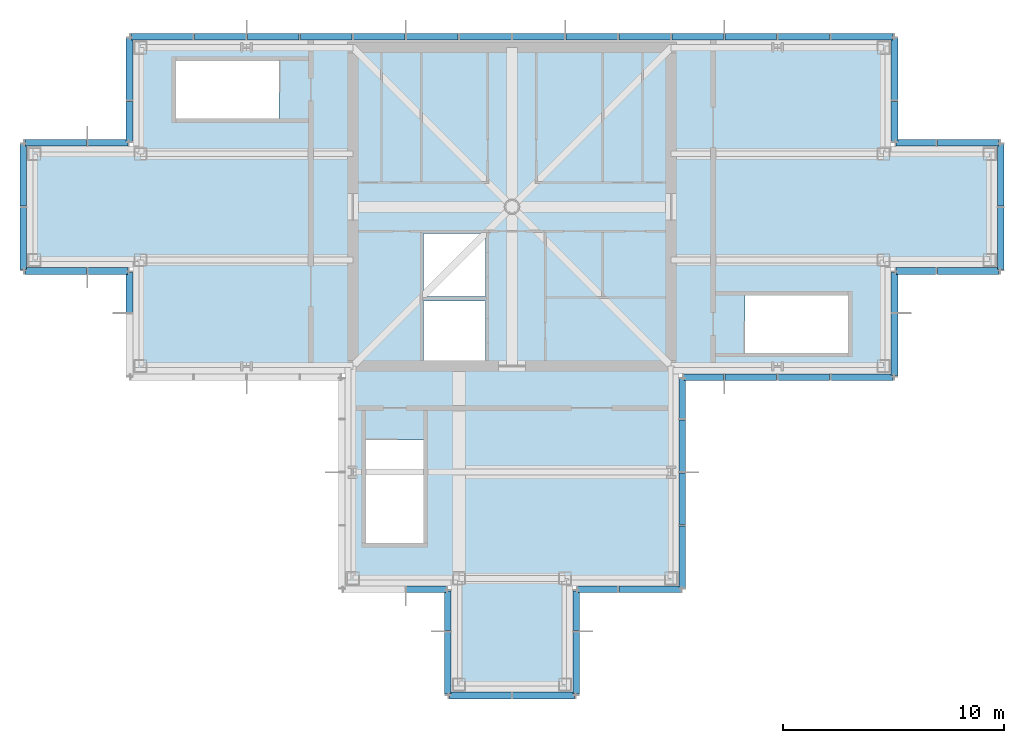
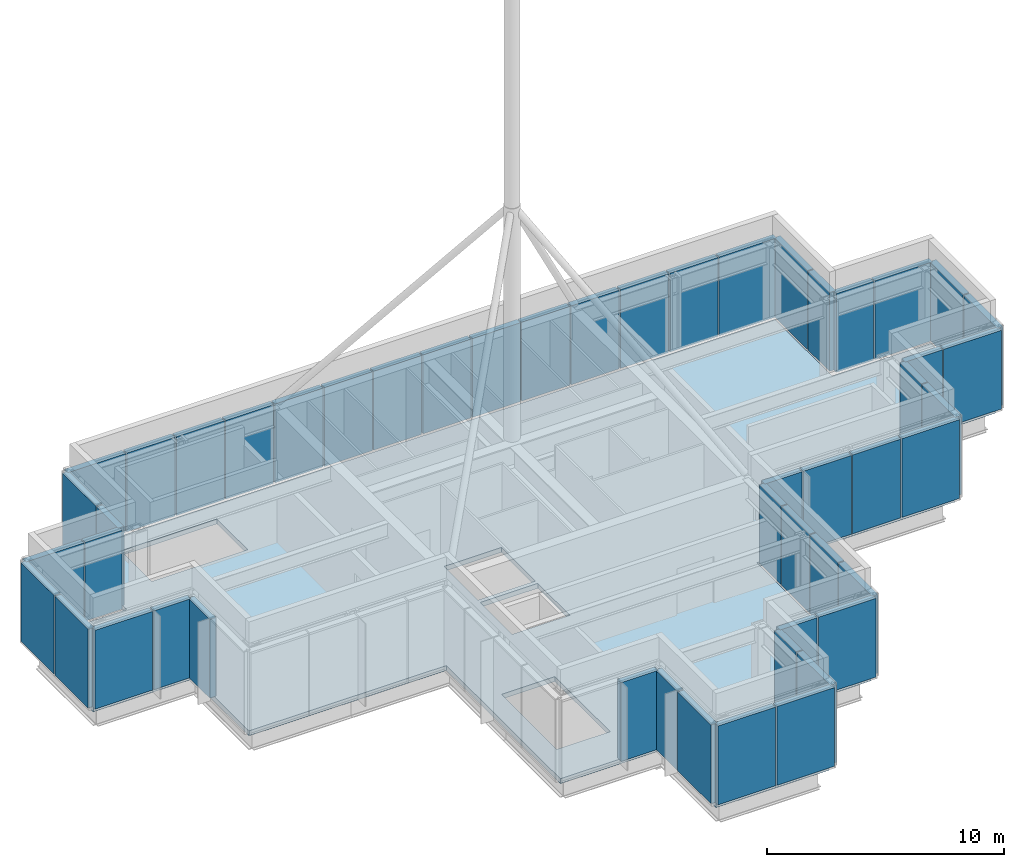
# One storey, part 7 of 10: 50 plates, 1 slab, 18 elements without a shape of their own.
"""IFC4 building model written with IfcOpenShell, lengths in metres."""

from ifc_helpers import new_model, si_unit, direction, frame, origin, origin_2d, place, context, subcontext, project, spatial, polyline, rectangle, outline, extrude, material, layer, layer_set, type_object, element, aggregate, save


model = new_model("IFC4")

# Units and contexts
model_context = context("Model", 3, precision=1e-05, world=origin(), true_north=direction((0.0, 1.0)))
body_context = subcontext(model_context, "Body", "Model", "MODEL_VIEW")
ifc_project = project(units=[si_unit("LENGTHUNIT", "METRE"), si_unit("AREAUNIT", "SQUARE_METRE"), si_unit("VOLUMEUNIT", "CUBIC_METRE"), si_unit("PLANEANGLEUNIT", "RADIAN"), si_unit("MASSUNIT", "GRAM", prefix="KILO")], contexts=[model_context])

# Site, building, storey
site_placement = place(None, origin())
site = spatial("IfcSite", under=ifc_project, at=site_placement, CompositionType="ELEMENT")
building_placement = place(site_placement, origin())
building = spatial("IfcBuilding", under=site, at=building_placement, Name="Kvirike Care Tower", CompositionType="ELEMENT")
storey_placement = place(building_placement, frame((0.0, 0.0, 248.0)))
storey = spatial("IfcBuildingStorey", under=building, at=storey_placement, Name="L68", CompositionType="ELEMENT", Elevation=248.0)

# Curtain wall, plates
ifc_material_1 = material(Name="Anodised aluminium stick system", Category="aluminium")
curtain_wall_type = type_object("IfcCurtainWallType", Name="CW-L LOUVRED PLANT SCREEN", PredefinedType="NOTDEFINED", material=ifc_material_1)
curtain_wall_1_placement = place(storey_placement, origin())
curtain_wall_1 = element("IfcCurtainWall", 1, at=curtain_wall_1_placement, inside=storey, type_object=curtain_wall_type, Name="Curtain wall L68 face 1", PredefinedType="NOTDEFINED")
ifc_material_2 = material(Name="Bronze anodised aluminium louvre", Category="aluminium")
ifc_layer_1 = layer(ifc_material_2, 0.300048828125)
ifc_layer_set_1 = layer_set([ifc_layer_1], Name="BRONZE LOUVRE PANEL")
plate_type = type_object("IfcPlateType", Name="BRONZE LOUVRE PANEL", PredefinedType="CURTAIN_PANEL", material=ifc_layer_set_1)
plate_1_placement = place(storey_placement, frame((30.266357421875, 28.300048828125, 0.10009765625), z_axis=(0.0, 0.0, 1.0), x_axis=(1.0, 0.0, 0.0)))
plate_1 = element("IfcPlate", 2, at=plate_1_placement, type_object=plate_type, Name="CW-L panel L68 face 1.1", PredefinedType="CURTAIN_PANEL", context=body_context, shape_type="SweptSolid", body=[
    extrude(rectangle(XDim=1.802490234375, YDim=0.300048828125, at=origin_2d()), origin(), (0.0, 0.0, 1.0), 4.050048828125),
])
plate_2_placement = place(storey_placement, frame((32.39990234375, 28.300048828125, 0.10009765625), z_axis=(0.0, 0.0, 1.0), x_axis=(1.0, 0.0, 0.0)))
plate_2 = element("IfcPlate", 3, at=plate_2_placement, type_object=plate_type, Name="CW-L panel L68 face 1.2", PredefinedType="CURTAIN_PANEL", context=body_context, shape_type="SweptSolid", body=[
    extrude(rectangle(XDim=2.3349609375, YDim=0.300048828125, at=origin_2d()), origin(), (0.0, 0.0, 1.0), 4.050048828125),
])
plate_3_placement = place(storey_placement, frame((34.800048828125, 28.300048828125, 0.10009765625), z_axis=(0.0, 0.0, 1.0), x_axis=(1.0, 0.0, 0.0)))
plate_3 = element("IfcPlate", 4, at=plate_3_placement, type_object=plate_type, Name="CW-L panel L68 face 1.3", PredefinedType="CURTAIN_PANEL", context=body_context, shape_type="SweptSolid", body=[
    extrude(rectangle(XDim=2.3349609375, YDim=0.300048828125, at=origin_2d()), origin(), (0.0, 0.0, 1.0), 4.050048828125),
])
plate_4_placement = place(storey_placement, frame((37.433837890625, 28.300048828125, 0.10009765625), z_axis=(0.0, 0.0, 1.0), x_axis=(1.0, 0.0, 0.0)))
plate_4 = element("IfcPlate", 5, at=plate_4_placement, type_object=plate_type, Name="CW-L panel L68 face 1.4", PredefinedType="CURTAIN_PANEL", context=body_context, shape_type="SweptSolid", body=[
    extrude(rectangle(XDim=2.802490234375, YDim=0.300048828125, at=origin_2d()), origin(), (0.0, 0.0, 1.0), 4.050048828125),
])
aggregate(curtain_wall_1, [plate_1, plate_2, plate_3, plate_4])

curtain_wall_2_placement = place(storey_placement, origin())
curtain_wall_2 = element("IfcCurtainWall", 6, at=curtain_wall_2_placement, inside=storey, type_object=curtain_wall_type, Name="Curtain wall L68 face 2", PredefinedType="NOTDEFINED")
plate_5_placement = place(storey_placement, frame((38.89990234375, 29.766357421875, 0.10009765625), z_axis=(0.0, 0.0, 1.0), x_axis=(0.0, 1.0, 0.0)))
plate_5 = element("IfcPlate", 7, at=plate_5_placement, type_object=plate_type, Name="CW-L panel L68 face 2.1", PredefinedType="CURTAIN_PANEL", context=body_context, shape_type="SweptSolid", body=[
    extrude(rectangle(XDim=2.802490234375, YDim=0.300048828125, at=origin_2d()), origin(), (0.0, 0.0, 1.0), 4.050048828125),
])
plate_6_placement = place(storey_placement, frame((38.89990234375, 32.1337890625, 0.10009765625), z_axis=(0.0, 0.0, 1.0), x_axis=(0.0, 1.0, 0.0)))
plate_6 = element("IfcPlate", 8, at=plate_6_placement, type_object=plate_type, Name="CW-L panel L68 face 2.2", PredefinedType="CURTAIN_PANEL", context=body_context, shape_type="SweptSolid", body=[
    extrude(rectangle(XDim=1.802490234375, YDim=0.300048828125, at=origin_2d()), origin(), (0.0, 0.0, 1.0), 4.050048828125),
])
aggregate(curtain_wall_2, [plate_5, plate_6])

curtain_wall_3_placement = place(storey_placement, origin())
curtain_wall_3 = element("IfcCurtainWall", 9, at=curtain_wall_3_placement, inside=storey, type_object=curtain_wall_type, Name="Curtain wall L68 face 3", PredefinedType="NOTDEFINED")
plate_7_placement = place(storey_placement, frame((39.8662109375, 33.10009765625, 0.10009765625), z_axis=(0.0, 0.0, 1.0), x_axis=(1.0, 0.0, 0.0)))
plate_7 = element("IfcPlate", 10, at=plate_7_placement, type_object=plate_type, Name="CW-L panel L68 face 3.1", PredefinedType="CURTAIN_PANEL", context=body_context, shape_type="SweptSolid", body=[
    extrude(rectangle(XDim=1.802490234375, YDim=0.300048828125, at=origin_2d()), origin(), (0.0, 0.0, 1.0), 4.050048828125),
])
plate_8_placement = place(storey_placement, frame((42.233642578125, 33.10009765625, 0.10009765625), z_axis=(0.0, 0.0, 1.0), x_axis=(1.0, 0.0, 0.0)))
plate_8 = element("IfcPlate", 11, at=plate_8_placement, type_object=plate_type, Name="CW-L panel L68 face 3.2", PredefinedType="CURTAIN_PANEL", context=body_context, shape_type="SweptSolid", body=[
    extrude(rectangle(XDim=2.802490234375, YDim=0.300048828125, at=origin_2d()), origin(), (0.0, 0.0, 1.0), 4.050048828125),
])
aggregate(curtain_wall_3, [plate_7, plate_8])

curtain_wall_4_placement = place(storey_placement, origin())
curtain_wall_4 = element("IfcCurtainWall", 12, at=curtain_wall_4_placement, inside=storey, type_object=curtain_wall_type, Name="Curtain wall L68 face 4", PredefinedType="NOTDEFINED")
plate_9_placement = place(storey_placement, frame((43.699951171875, 34.566162109375, 0.10009765625), z_axis=(0.0, 0.0, 1.0), x_axis=(0.0, 1.0, 0.0)))
plate_9 = element("IfcPlate", 13, at=plate_9_placement, type_object=plate_type, Name="CW-L panel L68 face 4.1", PredefinedType="CURTAIN_PANEL", context=body_context, shape_type="SweptSolid", body=[
    extrude(rectangle(XDim=2.802490234375, YDim=0.300048828125, at=origin_2d()), origin(), (0.0, 0.0, 1.0), 4.050048828125),
])
plate_10_placement = place(storey_placement, frame((43.699951171875, 37.433837890625, 0.10009765625), z_axis=(0.0, 0.0, 1.0), x_axis=(0.0, 1.0, 0.0)))
plate_10 = element("IfcPlate", 14, at=plate_10_placement, type_object=plate_type, Name="CW-L panel L68 face 4.2", PredefinedType="CURTAIN_PANEL", context=body_context, shape_type="SweptSolid", body=[
    extrude(rectangle(XDim=2.802490234375, YDim=0.300048828125, at=origin_2d()), origin(), (0.0, 0.0, 1.0), 4.050048828125),
])
aggregate(curtain_wall_4, [plate_9, plate_10])

curtain_wall_5_placement = place(storey_placement, origin())
curtain_wall_5 = element("IfcCurtainWall", 15, at=curtain_wall_5_placement, inside=storey, type_object=curtain_wall_type, Name="Curtain wall L68 face 5", PredefinedType="NOTDEFINED")
plate_11_placement = place(storey_placement, frame((42.233642578125, 38.89990234375, 0.10009765625), z_axis=(0.0, 0.0, 1.0), x_axis=(-1.0, 0.0, 0.0)))
plate_11 = element("IfcPlate", 16, at=plate_11_placement, type_object=plate_type, Name="CW-L panel L68 face 5.1", PredefinedType="CURTAIN_PANEL", context=body_context, shape_type="SweptSolid", body=[
    extrude(rectangle(XDim=2.802490234375, YDim=0.300048828125, at=origin_2d()), origin(), (0.0, 0.0, 1.0), 4.050048828125),
])
plate_12_placement = place(storey_placement, frame((39.8662109375, 38.89990234375, 0.10009765625), z_axis=(0.0, 0.0, 1.0), x_axis=(-1.0, 0.0, 0.0)))
plate_12 = element("IfcPlate", 17, at=plate_12_placement, type_object=plate_type, Name="CW-L panel L68 face 5.2", PredefinedType="CURTAIN_PANEL", context=body_context, shape_type="SweptSolid", body=[
    extrude(rectangle(XDim=1.802490234375, YDim=0.300048828125, at=origin_2d()), origin(), (0.0, 0.0, 1.0), 4.050048828125),
])
aggregate(curtain_wall_5, [plate_11, plate_12])

curtain_wall_6_placement = place(storey_placement, origin())
curtain_wall_6 = element("IfcCurtainWall", 18, at=curtain_wall_6_placement, inside=storey, type_object=curtain_wall_type, Name="Curtain wall L68 face 6", PredefinedType="NOTDEFINED")
plate_13_placement = place(storey_placement, frame((38.89990234375, 39.8662109375, 0.10009765625), z_axis=(0.0, 0.0, 1.0), x_axis=(0.0, 1.0, 0.0)))
plate_13 = element("IfcPlate", 19, at=plate_13_placement, type_object=plate_type, Name="CW-L panel L68 face 6.1", PredefinedType="CURTAIN_PANEL", context=body_context, shape_type="SweptSolid", body=[
    extrude(rectangle(XDim=1.802490234375, YDim=0.300048828125, at=origin_2d()), origin(), (0.0, 0.0, 1.0), 4.050048828125),
])
plate_14_placement = place(storey_placement, frame((38.89990234375, 42.233642578125, 0.10009765625), z_axis=(0.0, 0.0, 1.0), x_axis=(0.0, 1.0, 0.0)))
plate_14 = element("IfcPlate", 20, at=plate_14_placement, type_object=plate_type, Name="CW-L panel L68 face 6.2", PredefinedType="CURTAIN_PANEL", context=body_context, shape_type="SweptSolid", body=[
    extrude(rectangle(XDim=2.802490234375, YDim=0.300048828125, at=origin_2d()), origin(), (0.0, 0.0, 1.0), 4.050048828125),
])
aggregate(curtain_wall_6, [plate_13, plate_14])

curtain_wall_7_placement = place(storey_placement, origin())
curtain_wall_7 = element("IfcCurtainWall", 21, at=curtain_wall_7_placement, inside=storey, type_object=curtain_wall_type, Name="Curtain wall L68 face 7", PredefinedType="NOTDEFINED")
plate_15_placement = place(storey_placement, frame((37.433837890625, 43.699951171875, 0.10009765625), z_axis=(0.0, 0.0, 1.0), x_axis=(-1.0, 0.0, 0.0)))
plate_15 = element("IfcPlate", 22, at=plate_15_placement, type_object=plate_type, Name="CW-L panel L68 face 7.1", PredefinedType="CURTAIN_PANEL", context=body_context, shape_type="SweptSolid", body=[
    extrude(rectangle(XDim=2.802490234375, YDim=0.300048828125, at=origin_2d()), origin(), (0.0, 0.0, 1.0), 4.050048828125),
])
plate_16_placement = place(storey_placement, frame((34.800048828125, 43.699951171875, 0.10009765625), z_axis=(0.0, 0.0, 1.0), x_axis=(-1.0, 0.0, 0.0)))
plate_16 = element("IfcPlate", 23, at=plate_16_placement, type_object=plate_type, Name="CW-L panel L68 face 7.2", PredefinedType="CURTAIN_PANEL", context=body_context, shape_type="SweptSolid", body=[
    extrude(rectangle(XDim=2.3349609375, YDim=0.300048828125, at=origin_2d()), origin(), (0.0, 0.0, 1.0), 4.050048828125),
])
plate_17_placement = place(storey_placement, frame((32.39990234375, 43.699951171875, 0.10009765625), z_axis=(0.0, 0.0, 1.0), x_axis=(-1.0, 0.0, 0.0)))
plate_17 = element("IfcPlate", 24, at=plate_17_placement, type_object=plate_type, Name="CW-L panel L68 face 7.3", PredefinedType="CURTAIN_PANEL", context=body_context, shape_type="SweptSolid", body=[
    extrude(rectangle(XDim=2.3349609375, YDim=0.300048828125, at=origin_2d()), origin(), (0.0, 0.0, 1.0), 4.050048828125),
])
plate_18_placement = place(storey_placement, frame((30.0, 43.699951171875, 0.10009765625), z_axis=(0.0, 0.0, 1.0), x_axis=(-1.0, 0.0, 0.0)))
plate_18 = element("IfcPlate", 25, at=plate_18_placement, type_object=plate_type, Name="CW-L panel L68 face 7.4", PredefinedType="CURTAIN_PANEL", context=body_context, shape_type="SweptSolid", body=[
    extrude(rectangle(XDim=2.3349609375, YDim=0.300048828125, at=origin_2d()), origin(), (0.0, 0.0, 1.0), 4.050048828125),
])
plate_19_placement = place(storey_placement, frame((27.60009765625, 43.699951171875, 0.10009765625), z_axis=(0.0, 0.0, 1.0), x_axis=(-1.0, 0.0, 0.0)))
plate_19 = element("IfcPlate", 26, at=plate_19_placement, type_object=plate_type, Name="CW-L panel L68 face 7.5", PredefinedType="CURTAIN_PANEL", context=body_context, shape_type="SweptSolid", body=[
    extrude(rectangle(XDim=2.3349609375, YDim=0.300048828125, at=origin_2d()), origin(), (0.0, 0.0, 1.0), 4.050048828125),
])
plate_20_placement = place(storey_placement, frame((25.199951171875, 43.699951171875, 0.10009765625), z_axis=(0.0, 0.0, 1.0), x_axis=(-1.0, 0.0, 0.0)))
plate_20 = element("IfcPlate", 27, at=plate_20_placement, type_object=plate_type, Name="CW-L panel L68 face 7.6", PredefinedType="CURTAIN_PANEL", context=body_context, shape_type="SweptSolid", body=[
    extrude(rectangle(XDim=2.3349609375, YDim=0.300048828125, at=origin_2d()), origin(), (0.0, 0.0, 1.0), 4.050048828125),
])
plate_21_placement = place(storey_placement, frame((22.800048828125, 43.699951171875, 0.10009765625), z_axis=(0.0, 0.0, 1.0), x_axis=(-1.0, 0.0, 0.0)))
plate_21 = element("IfcPlate", 28, at=plate_21_placement, type_object=plate_type, Name="CW-L panel L68 face 7.7", PredefinedType="CURTAIN_PANEL", context=body_context, shape_type="SweptSolid", body=[
    extrude(rectangle(XDim=2.3349609375, YDim=0.300048828125, at=origin_2d()), origin(), (0.0, 0.0, 1.0), 4.050048828125),
])
plate_22_placement = place(storey_placement, frame((20.39990234375, 43.699951171875, 0.10009765625), z_axis=(0.0, 0.0, 1.0), x_axis=(-1.0, 0.0, 0.0)))
plate_22 = element("IfcPlate", 29, at=plate_22_placement, type_object=plate_type, Name="CW-L panel L68 face 7.8", PredefinedType="CURTAIN_PANEL", context=body_context, shape_type="SweptSolid", body=[
    extrude(rectangle(XDim=2.3349609375, YDim=0.300048828125, at=origin_2d()), origin(), (0.0, 0.0, 1.0), 4.050048828125),
])
plate_23_placement = place(storey_placement, frame((18.0, 43.699951171875, 0.10009765625), z_axis=(0.0, 0.0, 1.0), x_axis=(-1.0, 0.0, 0.0)))
plate_23 = element("IfcPlate", 30, at=plate_23_placement, type_object=plate_type, Name="CW-L panel L68 face 7.9", PredefinedType="CURTAIN_PANEL", context=body_context, shape_type="SweptSolid", body=[
    extrude(rectangle(XDim=2.3349609375, YDim=0.300048828125, at=origin_2d()), origin(), (0.0, 0.0, 1.0), 4.050048828125),
])
plate_24_placement = place(storey_placement, frame((15.60009765625, 43.699951171875, 0.10009765625), z_axis=(0.0, 0.0, 1.0), x_axis=(-1.0, 0.0, 0.0)))
plate_24 = element("IfcPlate", 31, at=plate_24_placement, type_object=plate_type, Name="CW-L panel L68 face 7.10", PredefinedType="CURTAIN_PANEL", context=body_context, shape_type="SweptSolid", body=[
    extrude(rectangle(XDim=2.3349609375, YDim=0.300048828125, at=origin_2d()), origin(), (0.0, 0.0, 1.0), 4.050048828125),
])
plate_25_placement = place(storey_placement, frame((13.199951171875, 43.699951171875, 0.10009765625), z_axis=(0.0, 0.0, 1.0), x_axis=(-1.0, 0.0, 0.0)))
plate_25 = element("IfcPlate", 32, at=plate_25_placement, type_object=plate_type, Name="CW-L panel L68 face 7.11", PredefinedType="CURTAIN_PANEL", context=body_context, shape_type="SweptSolid", body=[
    extrude(rectangle(XDim=2.3349609375, YDim=0.300048828125, at=origin_2d()), origin(), (0.0, 0.0, 1.0), 4.050048828125),
])
plate_26_placement = place(storey_placement, frame((10.800048828125, 43.699951171875, 0.10009765625), z_axis=(0.0, 0.0, 1.0), x_axis=(-1.0, 0.0, 0.0)))
plate_26 = element("IfcPlate", 33, at=plate_26_placement, type_object=plate_type, Name="CW-L panel L68 face 7.12", PredefinedType="CURTAIN_PANEL", context=body_context, shape_type="SweptSolid", body=[
    extrude(rectangle(XDim=2.3349609375, YDim=0.300048828125, at=origin_2d()), origin(), (0.0, 0.0, 1.0), 4.050048828125),
])
plate_27_placement = place(storey_placement, frame((8.39990234375, 43.699951171875, 0.10009765625), z_axis=(0.0, 0.0, 1.0), x_axis=(-1.0, 0.0, 0.0)))
plate_27 = element("IfcPlate", 34, at=plate_27_placement, type_object=plate_type, Name="CW-L panel L68 face 7.13", PredefinedType="CURTAIN_PANEL", context=body_context, shape_type="SweptSolid", body=[
    extrude(rectangle(XDim=2.3349609375, YDim=0.300048828125, at=origin_2d()), origin(), (0.0, 0.0, 1.0), 4.050048828125),
])
plate_28_placement = place(storey_placement, frame((5.766357421875, 43.699951171875, 0.10009765625), z_axis=(0.0, 0.0, 1.0), x_axis=(-1.0, 0.0, 0.0)))
plate_28 = element("IfcPlate", 35, at=plate_28_placement, type_object=plate_type, Name="CW-L panel L68 face 7.14", PredefinedType="CURTAIN_PANEL", context=body_context, shape_type="SweptSolid", body=[
    extrude(rectangle(XDim=2.802490234375, YDim=0.300048828125, at=origin_2d()), origin(), (0.0, 0.0, 1.0), 4.050048828125),
])
aggregate(curtain_wall_7, [plate_15, plate_16, plate_17, plate_18, plate_19, plate_20, plate_21, plate_22, plate_23, plate_24, plate_25, plate_26, plate_27, plate_28])

curtain_wall_8_placement = place(storey_placement, origin())
curtain_wall_8 = element("IfcCurtainWall", 36, at=curtain_wall_8_placement, inside=storey, type_object=curtain_wall_type, Name="Curtain wall L68 face 8", PredefinedType="NOTDEFINED")
plate_29_placement = place(storey_placement, frame((4.300048828125, 42.233642578125, 0.10009765625), z_axis=(0.0, 0.0, 1.0), x_axis=(0.0, -1.0, 0.0)))
plate_29 = element("IfcPlate", 37, at=plate_29_placement, type_object=plate_type, Name="CW-L panel L68 face 8.1", PredefinedType="CURTAIN_PANEL", context=body_context, shape_type="SweptSolid", body=[
    extrude(rectangle(XDim=2.802490234375, YDim=0.300048828125, at=origin_2d()), origin(), (0.0, 0.0, 1.0), 4.050048828125),
])
plate_30_placement = place(storey_placement, frame((4.300048828125, 39.8662109375, 0.10009765625), z_axis=(0.0, 0.0, 1.0), x_axis=(0.0, -1.0, 0.0)))
plate_30 = element("IfcPlate", 38, at=plate_30_placement, type_object=plate_type, Name="CW-L panel L68 face 8.2", PredefinedType="CURTAIN_PANEL", context=body_context, shape_type="SweptSolid", body=[
    extrude(rectangle(XDim=1.802490234375, YDim=0.300048828125, at=origin_2d()), origin(), (0.0, 0.0, 1.0), 4.050048828125),
])
aggregate(curtain_wall_8, [plate_29, plate_30])

curtain_wall_9_placement = place(storey_placement, origin())
curtain_wall_9 = element("IfcCurtainWall", 39, at=curtain_wall_9_placement, inside=storey, type_object=curtain_wall_type, Name="Curtain wall L68 face 9", PredefinedType="NOTDEFINED")
plate_31_placement = place(storey_placement, frame((3.333740234375, 38.89990234375, 0.10009765625), z_axis=(0.0, 0.0, 1.0), x_axis=(-1.0, 0.0, 0.0)))
plate_31 = element("IfcPlate", 40, at=plate_31_placement, type_object=plate_type, Name="CW-L panel L68 face 9.1", PredefinedType="CURTAIN_PANEL", context=body_context, shape_type="SweptSolid", body=[
    extrude(rectangle(XDim=1.802490234375, YDim=0.300048828125, at=origin_2d()), origin(), (0.0, 0.0, 1.0), 4.050048828125),
])
plate_32_placement = place(storey_placement, frame((0.96630859375, 38.89990234375, 0.10009765625), z_axis=(0.0, 0.0, 1.0), x_axis=(-1.0, 0.0, 0.0)))
plate_32 = element("IfcPlate", 41, at=plate_32_placement, type_object=plate_type, Name="CW-L panel L68 face 9.2", PredefinedType="CURTAIN_PANEL", context=body_context, shape_type="SweptSolid", body=[
    extrude(rectangle(XDim=2.802490234375, YDim=0.300048828125, at=origin_2d()), origin(), (0.0, 0.0, 1.0), 4.050048828125),
])
aggregate(curtain_wall_9, [plate_31, plate_32])

curtain_wall_10_placement = place(storey_placement, origin())
curtain_wall_10 = element("IfcCurtainWall", 42, at=curtain_wall_10_placement, inside=storey, type_object=curtain_wall_type, Name="Curtain wall L68 face 10", PredefinedType="NOTDEFINED")
plate_33_placement = place(storey_placement, frame((-0.5, 37.433837890625, 0.10009765625), z_axis=(0.0, 0.0, 1.0), x_axis=(0.0, -1.0, 0.0)))
plate_33 = element("IfcPlate", 43, at=plate_33_placement, type_object=plate_type, Name="CW-L panel L68 face 10.1", PredefinedType="CURTAIN_PANEL", context=body_context, shape_type="SweptSolid", body=[
    extrude(rectangle(XDim=2.802490234375, YDim=0.300048828125, at=origin_2d()), origin(), (0.0, 0.0, 1.0), 4.050048828125),
])
plate_34_placement = place(storey_placement, frame((-0.5, 34.566162109375, 0.10009765625), z_axis=(0.0, 0.0, 1.0), x_axis=(0.0, -1.0, 0.0)))
plate_34 = element("IfcPlate", 44, at=plate_34_placement, type_object=plate_type, Name="CW-L panel L68 face 10.2", PredefinedType="CURTAIN_PANEL", context=body_context, shape_type="SweptSolid", body=[
    extrude(rectangle(XDim=2.802490234375, YDim=0.300048828125, at=origin_2d()), origin(), (0.0, 0.0, 1.0), 4.050048828125),
])
aggregate(curtain_wall_10, [plate_33, plate_34])

curtain_wall_11_placement = place(storey_placement, origin())
curtain_wall_11 = element("IfcCurtainWall", 45, at=curtain_wall_11_placement, inside=storey, type_object=curtain_wall_type, Name="Curtain wall L68 face 11", PredefinedType="NOTDEFINED")
plate_35_placement = place(storey_placement, frame((0.96630859375, 33.10009765625, 0.10009765625), z_axis=(0.0, 0.0, 1.0), x_axis=(1.0, 0.0, 0.0)))
plate_35 = element("IfcPlate", 46, at=plate_35_placement, type_object=plate_type, Name="CW-L panel L68 face 11.1", PredefinedType="CURTAIN_PANEL", context=body_context, shape_type="SweptSolid", body=[
    extrude(rectangle(XDim=2.802490234375, YDim=0.300048828125, at=origin_2d()), origin(), (0.0, 0.0, 1.0), 4.050048828125),
])
plate_36_placement = place(storey_placement, frame((3.333740234375, 33.10009765625, 0.10009765625), z_axis=(0.0, 0.0, 1.0), x_axis=(1.0, 0.0, 0.0)))
plate_36 = element("IfcPlate", 47, at=plate_36_placement, type_object=plate_type, Name="CW-L panel L68 face 11.2", PredefinedType="CURTAIN_PANEL", context=body_context, shape_type="SweptSolid", body=[
    extrude(rectangle(XDim=1.802490234375, YDim=0.300048828125, at=origin_2d()), origin(), (0.0, 0.0, 1.0), 4.050048828125),
])
aggregate(curtain_wall_11, [plate_35, plate_36])

# Curtain wall, plate
curtain_wall_12_placement = place(storey_placement, origin())
curtain_wall_12 = element("IfcCurtainWall", 48, at=curtain_wall_12_placement, inside=storey, type_object=curtain_wall_type, Name="Curtain wall L68 face 12", PredefinedType="NOTDEFINED")
plate_37_placement = place(storey_placement, frame((4.300048828125, 32.1337890625, 0.10009765625), z_axis=(0.0, 0.0, 1.0), x_axis=(0.0, -1.0, 0.0)))
plate_37 = element("IfcPlate", 49, at=plate_37_placement, type_object=plate_type, Name="CW-L panel L68 face 12.1", PredefinedType="CURTAIN_PANEL", context=body_context, shape_type="SweptSolid", body=[
    extrude(rectangle(XDim=1.802490234375, YDim=0.300048828125, at=origin_2d()), origin(), (0.0, 0.0, 1.0), 4.050048828125),
])
aggregate(curtain_wall_12, [plate_37])

curtain_wall_13_placement = place(storey_placement, origin())
curtain_wall_13 = element("IfcCurtainWall", 50, at=curtain_wall_13_placement, inside=storey, type_object=curtain_wall_type, Name="Curtain wall L68 face 15", PredefinedType="NOTDEFINED")
plate_38_placement = place(storey_placement, frame((17.733642578125, 18.699951171875, 0.10009765625), z_axis=(0.0, 0.0, 1.0), x_axis=(1.0, 0.0, 0.0)))
plate_38 = element("IfcPlate", 51, at=plate_38_placement, type_object=plate_type, Name="CW-L panel L68 face 15.2", PredefinedType="CURTAIN_PANEL", context=body_context, shape_type="SweptSolid", body=[
    extrude(rectangle(XDim=1.802490234375, YDim=0.300048828125, at=origin_2d()), origin(), (0.0, 0.0, 1.0), 4.050048828125),
])
aggregate(curtain_wall_13, [plate_38])

# Curtain wall, plates
curtain_wall_14_placement = place(storey_placement, origin())
curtain_wall_14 = element("IfcCurtainWall", 52, at=curtain_wall_14_placement, inside=storey, type_object=curtain_wall_type, Name="Curtain wall L68 face 16", PredefinedType="NOTDEFINED")
plate_39_placement = place(storey_placement, frame((18.699951171875, 17.733642578125, 0.10009765625), z_axis=(0.0, 0.0, 1.0), x_axis=(0.0, -1.0, 0.0)))
plate_39 = element("IfcPlate", 53, at=plate_39_placement, type_object=plate_type, Name="CW-L panel L68 face 16.1", PredefinedType="CURTAIN_PANEL", context=body_context, shape_type="SweptSolid", body=[
    extrude(rectangle(XDim=1.802490234375, YDim=0.300048828125, at=origin_2d()), origin(), (0.0, 0.0, 1.0), 4.050048828125),
])
plate_40_placement = place(storey_placement, frame((18.699951171875, 15.3662109375, 0.10009765625), z_axis=(0.0, 0.0, 1.0), x_axis=(0.0, -1.0, 0.0)))
plate_40 = element("IfcPlate", 54, at=plate_40_placement, type_object=plate_type, Name="CW-L panel L68 face 16.2", PredefinedType="CURTAIN_PANEL", context=body_context, shape_type="SweptSolid", body=[
    extrude(rectangle(XDim=2.802490234375, YDim=0.300048828125, at=origin_2d()), origin(), (0.0, 0.0, 1.0), 4.050048828125),
])
aggregate(curtain_wall_14, [plate_39, plate_40])

curtain_wall_15_placement = place(storey_placement, origin())
curtain_wall_15 = element("IfcCurtainWall", 55, at=curtain_wall_15_placement, inside=storey, type_object=curtain_wall_type, Name="Curtain wall L68 face 17", PredefinedType="NOTDEFINED")
plate_41_placement = place(storey_placement, frame((20.166259765625, 13.89990234375, 0.10009765625), z_axis=(0.0, 0.0, 1.0), x_axis=(1.0, 0.0, 0.0)))
plate_41 = element("IfcPlate", 56, at=plate_41_placement, type_object=plate_type, Name="CW-L panel L68 face 17.1", PredefinedType="CURTAIN_PANEL", context=body_context, shape_type="SweptSolid", body=[
    extrude(rectangle(XDim=2.802490234375, YDim=0.300048828125, at=origin_2d()), origin(), (0.0, 0.0, 1.0), 4.050048828125),
])
plate_42_placement = place(storey_placement, frame((23.03369140625, 13.89990234375, 0.10009765625), z_axis=(0.0, 0.0, 1.0), x_axis=(1.0, 0.0, 0.0)))
plate_42 = element("IfcPlate", 57, at=plate_42_placement, type_object=plate_type, Name="CW-L panel L68 face 17.2", PredefinedType="CURTAIN_PANEL", context=body_context, shape_type="SweptSolid", body=[
    extrude(rectangle(XDim=2.802490234375, YDim=0.300048828125, at=origin_2d()), origin(), (0.0, 0.0, 1.0), 4.050048828125),
])
aggregate(curtain_wall_15, [plate_41, plate_42])

curtain_wall_16_placement = place(storey_placement, origin())
curtain_wall_16 = element("IfcCurtainWall", 58, at=curtain_wall_16_placement, inside=storey, type_object=curtain_wall_type, Name="Curtain wall L68 face 18", PredefinedType="NOTDEFINED")
plate_43_placement = place(storey_placement, frame((24.5, 15.3662109375, 0.10009765625), z_axis=(0.0, 0.0, 1.0), x_axis=(0.0, 1.0, 0.0)))
plate_43 = element("IfcPlate", 59, at=plate_43_placement, type_object=plate_type, Name="CW-L panel L68 face 18.1", PredefinedType="CURTAIN_PANEL", context=body_context, shape_type="SweptSolid", body=[
    extrude(rectangle(XDim=2.802490234375, YDim=0.300048828125, at=origin_2d()), origin(), (0.0, 0.0, 1.0), 4.050048828125),
])
plate_44_placement = place(storey_placement, frame((24.5, 17.733642578125, 0.10009765625), z_axis=(0.0, 0.0, 1.0), x_axis=(0.0, 1.0, 0.0)))
plate_44 = element("IfcPlate", 60, at=plate_44_placement, type_object=plate_type, Name="CW-L panel L68 face 18.2", PredefinedType="CURTAIN_PANEL", context=body_context, shape_type="SweptSolid", body=[
    extrude(rectangle(XDim=1.802490234375, YDim=0.300048828125, at=origin_2d()), origin(), (0.0, 0.0, 1.0), 4.050048828125),
])
aggregate(curtain_wall_16, [plate_43, plate_44])

curtain_wall_17_placement = place(storey_placement, origin())
curtain_wall_17 = element("IfcCurtainWall", 61, at=curtain_wall_17_placement, inside=storey, type_object=curtain_wall_type, Name="Curtain wall L68 face 19", PredefinedType="NOTDEFINED")
plate_45_placement = place(storey_placement, frame((25.46630859375, 18.699951171875, 0.10009765625), z_axis=(0.0, 0.0, 1.0), x_axis=(1.0, 0.0, 0.0)))
plate_45 = element("IfcPlate", 62, at=plate_45_placement, type_object=plate_type, Name="CW-L panel L68 face 19.1", PredefinedType="CURTAIN_PANEL", context=body_context, shape_type="SweptSolid", body=[
    extrude(rectangle(XDim=1.802490234375, YDim=0.300048828125, at=origin_2d()), origin(), (0.0, 0.0, 1.0), 4.050048828125),
])
plate_46_placement = place(storey_placement, frame((27.833740234375, 18.699951171875, 0.10009765625), z_axis=(0.0, 0.0, 1.0), x_axis=(1.0, 0.0, 0.0)))
plate_46 = element("IfcPlate", 63, at=plate_46_placement, type_object=plate_type, Name="CW-L panel L68 face 19.2", PredefinedType="CURTAIN_PANEL", context=body_context, shape_type="SweptSolid", body=[
    extrude(rectangle(XDim=2.802490234375, YDim=0.300048828125, at=origin_2d()), origin(), (0.0, 0.0, 1.0), 4.050048828125),
])
aggregate(curtain_wall_17, [plate_45, plate_46])

curtain_wall_18_placement = place(storey_placement, origin())
curtain_wall_18 = element("IfcCurtainWall", 64, at=curtain_wall_18_placement, inside=storey, type_object=curtain_wall_type, Name="Curtain wall L68 face 20", PredefinedType="NOTDEFINED")
plate_47_placement = place(storey_placement, frame((29.300048828125, 20.166259765625, 0.10009765625), z_axis=(0.0, 0.0, 1.0), x_axis=(0.0, 1.0, 0.0)))
plate_47 = element("IfcPlate", 65, at=plate_47_placement, type_object=plate_type, Name="CW-L panel L68 face 20.1", PredefinedType="CURTAIN_PANEL", context=body_context, shape_type="SweptSolid", body=[
    extrude(rectangle(XDim=2.802490234375, YDim=0.300048828125, at=origin_2d()), origin(), (0.0, 0.0, 1.0), 4.050048828125),
])
plate_48_placement = place(storey_placement, frame((29.300048828125, 22.800048828125, 0.10009765625), z_axis=(0.0, 0.0, 1.0), x_axis=(0.0, 1.0, 0.0)))
plate_48 = element("IfcPlate", 66, at=plate_48_placement, type_object=plate_type, Name="CW-L panel L68 face 20.2", PredefinedType="CURTAIN_PANEL", context=body_context, shape_type="SweptSolid", body=[
    extrude(rectangle(XDim=2.3349609375, YDim=0.300048828125, at=origin_2d()), origin(), (0.0, 0.0, 1.0), 4.050048828125),
])
plate_49_placement = place(storey_placement, frame((29.300048828125, 25.199951171875, 0.10009765625), z_axis=(0.0, 0.0, 1.0), x_axis=(0.0, 1.0, 0.0)))
plate_49 = element("IfcPlate", 67, at=plate_49_placement, type_object=plate_type, Name="CW-L panel L68 face 20.3", PredefinedType="CURTAIN_PANEL", context=body_context, shape_type="SweptSolid", body=[
    extrude(rectangle(XDim=2.3349609375, YDim=0.300048828125, at=origin_2d()), origin(), (0.0, 0.0, 1.0), 4.050048828125),
])
plate_50_placement = place(storey_placement, frame((29.300048828125, 27.333740234375, 0.10009765625), z_axis=(0.0, 0.0, 1.0), x_axis=(0.0, 1.0, 0.0)))
plate_50 = element("IfcPlate", 68, at=plate_50_placement, type_object=plate_type, Name="CW-L panel L68 face 20.4", PredefinedType="CURTAIN_PANEL", context=body_context, shape_type="SweptSolid", body=[
    extrude(rectangle(XDim=1.802490234375, YDim=0.300048828125, at=origin_2d()), origin(), (0.0, 0.0, 1.0), 4.050048828125),
])
aggregate(curtain_wall_18, [plate_47, plate_48, plate_49, plate_50])

# Slab
ifc_material_3 = material(Name="Concrete C35/45", Category="concrete")
ifc_layer_2 = layer(ifc_material_3, 0.25)
ifc_layer_set_2 = layer_set([ifc_layer_2], Name="PLANT FLOOR SLAB 250")
slab_type = type_object("IfcSlabType", Name="PLANT FLOOR SLAB 250", PredefinedType="FLOOR", material=ifc_layer_set_2)
slab_placement = place(storey_placement, frame((0.0, 0.0, -0.25)))
element("IfcSlab", 69, at=slab_placement, inside=storey, type_object=slab_type, Name="Floor slab L68", PredefinedType="FLOOR", context=body_context, shape_type="SweptSolid", body=[
    extrude(outline(polyline([(29.14990234375, 28.449951171875), (38.75, 28.449951171875), (38.75, 33.25), (43.550048828125, 33.25), (43.550048828125, 38.75), (38.75, 38.75), (38.75, 43.550048828125), (4.449951171875, 43.550048828125), (4.449951171875, 38.75), (-0.35009765625, 38.75), (-0.35009765625, 33.25), (4.449951171875, 33.25), (4.449951171875, 28.449951171875), (14.050048828125, 28.449951171875), (14.050048828125, 18.85009765625), (18.85009765625, 18.85009765625), (18.85009765625, 14.050048828125), (24.35009765625, 14.050048828125), (24.35009765625, 18.85009765625), (29.14990234375, 18.85009765625), (29.14990234375, 28.449951171875)]), holes=[polyline([(17.60009765625, 29.050048828125), (17.60009765625, 31.75), (20.39990234375, 31.75), (20.39990234375, 29.050048828125), (17.60009765625, 29.050048828125)]), polyline([(17.60009765625, 31.949951171875), (17.60009765625, 34.800048828125), (20.39990234375, 34.800048828125), (20.39990234375, 31.949951171875), (17.60009765625, 31.949951171875)]), polyline([(11.06005859375, 42.60009765625), (11.06005859375, 40.0), (6.39990234375, 40.0), (6.39990234375, 42.60009765625), (11.06005859375, 42.60009765625)]), polyline([(32.139892578125, 29.39990234375), (32.139892578125, 32.0), (36.800048828125, 32.0), (36.800048828125, 29.39990234375), (32.139892578125, 29.39990234375)]), polyline([(15.0, 25.4599609375), (17.60009765625, 25.4599609375), (17.60009765625, 20.800048828125), (15.0, 20.800048828125), (15.0, 25.4599609375)])]), origin(), (0.0, 0.0, 1.0), 0.25),
])

save(model, "model.ifc")
